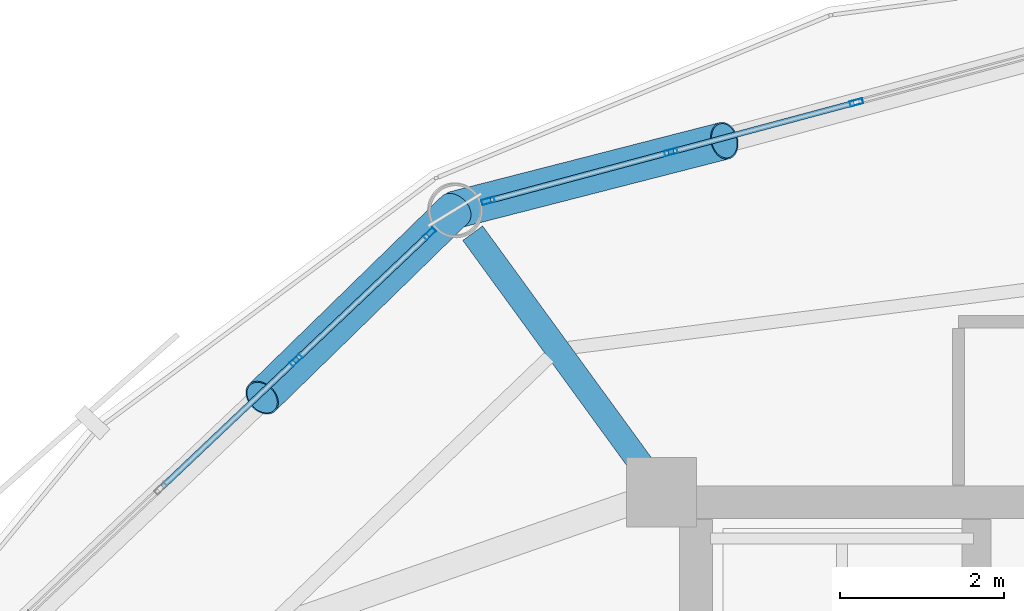
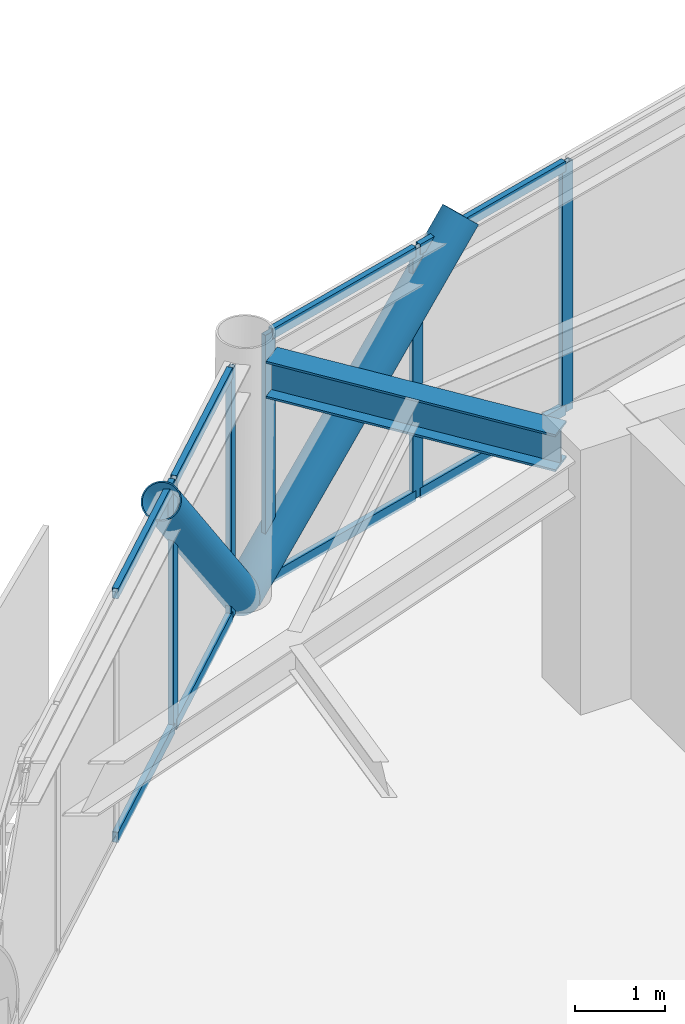
# One storey, part 20 of 29: 15 members, 1 beam, 2 elements without a shape of their own.
"""IFC4 building model written with IfcOpenShell, lengths in metres."""

import ifcopenshell
import ifcopenshell.guid

model = None  # the IFC model being written
_history = None  # IfcOwnerHistory: only IFC2X3 demands one
_inside = {}  # id of a spatial element -> (the spatial element, [elements in it])
_under = {}  # id of a project, library or spatial element -> (it, [spatial elements below it])
_declared = {}  # id of a project -> (the project, [libraries it declares])
_typed = {}  # id of a type object -> (the type object, [elements of that type])
_made_of = {}  # id of a material, layer set ... -> (it, [elements and type objects made of it])


def new_model(schema):
    """Start an empty IFC model of exactly this schema.

    Asked for "IFC4X3", IfcOpenShell would pick the latest addendum, in which some entities
    have other attributes; the version numbers below select the first issue.
    IFC2X3 requires an IfcOwnerHistory on every rooted entity: one is made here for all.
    """
    global model, _history
    if schema == "IFC4X3":
        model = ifcopenshell.file(schema_version=(4, 3, 0, 0))
    else:
        model = ifcopenshell.file(schema=schema)
    _inside.clear()
    _under.clear()
    _declared.clear()
    _typed.clear()
    _made_of.clear()
    _history = None
    if model.schema == "IFC2X3":
        org = make("IfcOrganization", Name="unknown")
        user = make(
            "IfcPersonAndOrganization",
            ThePerson=make("IfcPerson", FamilyName="unknown"),
            TheOrganization=org,
        )
        app = make(
            "IfcApplication",
            ApplicationDeveloper=org,
            Version="unknown",
            ApplicationFullName="unknown",
            ApplicationIdentifier="unknown",
        )
        _history = make(
            "IfcOwnerHistory",
            OwningUser=user,
            OwningApplication=app,
            ChangeAction="ADDED",
            CreationDate=0,
        )
    return model


def make(cls, **values):
    """One entity of the class cls with the attributes given. An attribute that is None is left unset."""
    return model.create_entity(
        cls, **{name: value for name, value in values.items() if value is not None}
    )


def rooted(cls, **values):
    """An entity with a GlobalId (a new one), such as an element, a storey or a relation."""
    return make(cls, GlobalId=ifcopenshell.guid.new(), OwnerHistory=_history, **values)


def si_unit(unit_type, name, prefix=None):
    """IfcSIUnit, for example si_unit("LENGTHUNIT", "METRE", prefix="MILLI")."""
    return make("IfcSIUnit", UnitType=unit_type, Prefix=prefix, Name=name)


def assignment(units):
    """IfcUnitAssignment: the units of a project."""
    return None if units is None else make("IfcUnitAssignment", Units=units)


def point(xyz):
    """IfcCartesianPoint."""
    return None if xyz is None else make("IfcCartesianPoint", Coordinates=xyz)


def direction(xyz):
    """IfcDirection."""
    return None if xyz is None else make("IfcDirection", DirectionRatios=xyz)


def frame(location, z_axis=None, x_axis=None):
    """IfcAxis2Placement3D, a coordinate frame: its origin and axes. An axis left out is left unset."""
    return make(
        "IfcAxis2Placement3D",
        Location=point(location),
        Axis=direction(z_axis),
        RefDirection=direction(x_axis),
    )


def frame_2d(location, x_axis=None):
    """IfcAxis2Placement2D, a coordinate frame in the plane: its origin and x axis."""
    return make(
        "IfcAxis2Placement2D", Location=point(location), RefDirection=direction(x_axis)
    )


def origin():
    """The frame at (0, 0, 0) with its axes left unset."""
    return frame((0.0, 0.0, 0.0))


def origin_2d():
    """The frame at (0, 0) in the plane with its x axis left unset."""
    return frame_2d((0.0, 0.0))


def place(relative_to, where):
    """IfcLocalPlacement: puts the frame where relative to a parent placement (None: the world)."""
    return make(
        "IfcLocalPlacement", PlacementRelTo=relative_to, RelativePlacement=where
    )


def context(
    kind, dimensions, precision=None, world=None, true_north=None, identifier=None
):
    """IfcGeometricRepresentationContext, for example the 3D "Model" context."""
    return make(
        "IfcGeometricRepresentationContext",
        ContextIdentifier=identifier,
        ContextType=kind,
        CoordinateSpaceDimension=dimensions,
        Precision=precision,
        WorldCoordinateSystem=world,
        TrueNorth=true_north,
    )


def subcontext(parent, identifier, kind, view, scale=None):
    """IfcGeometricRepresentationSubContext, for example "Body" below "Model"."""
    return make(
        "IfcGeometricRepresentationSubContext",
        ContextIdentifier=identifier,
        ContextType=kind,
        ParentContext=parent,
        TargetScale=scale,
        TargetView=view,
    )


def project(units=None, contexts=None):
    """IfcProject with its units and contexts."""
    return rooted(
        "IfcProject",
        Name="project",
        RepresentationContexts=contexts,
        UnitsInContext=assignment(units),
    )


def spatial(cls, under=None, at=None, **own):
    """A site, building, storey or space (cls), placed at a placement, below another one or the project."""
    s = rooted(cls, ObjectPlacement=at, **own)
    if under is not None:
        _under.setdefault(under.id(), (under, []))[1].append(s)
    return s


def profile(cls, at=None, kind="AREA", **sizes):
    """A parametric profile (cls). Its sizes go by their IFC names, for example OverallWidth=200.0."""
    return make(cls, ProfileType=kind, Position=at, **sizes)


def hollow_rectangle(**sizes):
    """IfcRectangleHollowProfileDef."""
    return profile("IfcRectangleHollowProfileDef", **sizes)


def hollow_circle(**sizes):
    """IfcCircleHollowProfileDef."""
    return profile("IfcCircleHollowProfileDef", **sizes)


def i_section(**sizes):
    """IfcIShapeProfileDef."""
    return profile("IfcIShapeProfileDef", **sizes)


def extrude(swept, where, along, depth):
    """IfcExtrudedAreaSolid: the profile swept, set in the frame where, extruded along a direction by depth."""
    return make(
        "IfcExtrudedAreaSolid",
        SweptArea=swept,
        Position=where,
        ExtrudedDirection=direction(along),
        Depth=depth,
    )


def shape(context_of_items, identifier, shape_type, items):
    """IfcShapeRepresentation: the items that make up one representation, for example the "Body"."""
    return make(
        "IfcShapeRepresentation",
        ContextOfItems=context_of_items,
        RepresentationIdentifier=identifier,
        RepresentationType=shape_type,
        Items=items,
    )


def material(Name=None, Category=None):
    """IfcMaterial."""
    return make("IfcMaterial", Name=Name, Category=Category)


def layer(
    of_material, thickness, ventilated=None, Name=None, Category=None, Priority=None
):
    """IfcMaterialLayer: one layer of a wall or slab, of a material (None: an air gap)."""
    return make(
        "IfcMaterialLayer",
        Material=of_material,
        LayerThickness=thickness,
        IsVentilated=ventilated,
        Name=Name,
        Category=Category,
        Priority=Priority,
    )


def layer_set(layers, Name=None):
    """IfcMaterialLayerSet."""
    return make("IfcMaterialLayerSet", MaterialLayers=layers, LayerSetName=Name)


def material_profile(
    of_material, cross_section, Name=None, Category=None, Priority=None
):
    """IfcMaterialProfile: a cross section and its material."""
    return make(
        "IfcMaterialProfile",
        Name=Name,
        Material=of_material,
        Profile=cross_section,
        Priority=Priority,
        Category=Category,
    )


def profile_set(profiles, Name=None, composite=None):
    """IfcMaterialProfileSet."""
    return make(
        "IfcMaterialProfileSet",
        Name=Name,
        MaterialProfiles=profiles,
        CompositeProfile=composite,
    )


def made_of(thing, what):
    """Note that an element or type object is made of a material, layer set ...; save() writes the relation."""
    if what is not None:
        _made_of.setdefault(what.id(), (what, []))[1].append(thing)
    return thing


def type_object(cls, material=None, **own):
    """A type object (cls), such as IfcWallType, which elements share."""
    return made_of(rooted(cls, **own), material)


def element(
    cls,
    number,
    at=None,
    inside=None,
    cuts=None,
    type_object=None,
    material=None,
    context=None,
    identifier="Body",
    shape_type=None,
    held_by="IfcProductDefinitionShape",
    body=None,
    shapes=None,
    **own,
):
    """One element of the class cls, such as IfcWall. Its Tag is "e" and its number.

    at: its placement. inside: the storey or other place that contains it. cuts: it is an
    opening in that element (IfcRelVoidsElement). A single representation is given by context,
    identifier, shape_type and body (its items); several are given by shapes. held_by: the class
    of the entity that holds the representations. save() writes the other relations.
    """
    e = rooted(cls, Tag="e%d" % number, ObjectPlacement=at, **own)
    if body is not None:
        shapes = [shape(context, identifier, shape_type, body)]
    if shapes is not None:
        e.Representation = make(held_by, Representations=shapes)
    if inside is not None:
        _inside.setdefault(inside.id(), (inside, []))[1].append(e)
    if cuts is not None:
        rooted(
            "IfcRelVoidsElement", RelatingBuildingElement=cuts, RelatedOpeningElement=e
        )
    if type_object is not None:
        _typed.setdefault(type_object.id(), (type_object, []))[1].append(e)
    return made_of(e, material)


def aggregate(whole, parts):
    """IfcRelAggregates: a whole, such as a stair, and the parts it consists of."""
    return rooted("IfcRelAggregates", RelatingObject=whole, RelatedObjects=parts)


def save(model, path):
    """Write the relations noted so far, then the file.

    IfcRelAggregates (storeys below a building ...), IfcRelContainedInSpatialStructure (elements
    in a storey), IfcRelDefinesByType, IfcRelAssociatesMaterial and IfcRelDeclares: one each for
    every whole, place, type object, material and project.
    """
    for whole, parts in _under.values():
        aggregate(whole, parts)
    for where, things in _inside.values():
        rooted(
            "IfcRelContainedInSpatialStructure",
            RelatedElements=things,
            RelatingStructure=where,
        )
    for kind, things in _typed.values():
        rooted("IfcRelDefinesByType", RelatedObjects=things, RelatingType=kind)
    for what, things in _made_of.values():
        rooted("IfcRelAssociatesMaterial", RelatedObjects=things, RelatingMaterial=what)
    for by, libraries in _declared.values():
        rooted("IfcRelDeclares", RelatingContext=by, RelatedDefinitions=libraries)
    model.write(path)


model = new_model("IFC4")

# Units and contexts
model_context = context("Model", 3, precision=1e-05, world=origin(), true_north=direction((0.0, 1.0)))
body_context = subcontext(model_context, "Body", "Model", "MODEL_VIEW")
ifc_project = project(units=[si_unit("LENGTHUNIT", "METRE"), si_unit("AREAUNIT", "SQUARE_METRE"), si_unit("VOLUMEUNIT", "CUBIC_METRE"), si_unit("PLANEANGLEUNIT", "RADIAN"), si_unit("MASSUNIT", "GRAM", prefix="KILO")], contexts=[model_context])

# Site, building, storey
site_placement = place(None, origin())
site = spatial("IfcSite", under=ifc_project, at=site_placement, CompositionType="ELEMENT")
building_placement = place(site_placement, origin())
building = spatial("IfcBuilding", under=site, at=building_placement, Name="Varnakorn Sky Granary", CompositionType="ELEMENT")
storey_placement = place(building_placement, frame((0.0, 0.0, 182.39990234375)))
storey = spatial("IfcBuildingStorey", under=building, at=storey_placement, Name="L45", CompositionType="ELEMENT", Elevation=182.39990234375)

# Beam
ifc_material_1 = material(Name="Steel S355JR", Category="steel")
ifc_material_profile_1 = material_profile(ifc_material_1, i_section(OverallWidth=0.300048828125, OverallDepth=0.5, WebThickness=0.014404296875, FlangeThickness=0.028076171875, at=origin_2d()), Name="HE 500 B")
ifc_profile_set_1 = profile_set([ifc_material_profile_1], Name="Steel S355JR")
beam_type = type_object("IfcBeamType", Name="BM-RAD-Z4", PredefinedType="BEAM", material=ifc_profile_set_1)
beam_placement = place(storey_placement, frame((-2.658447265625, 12.947509765625, 3.110107421875), z_axis=(-0.588809874475, 0.808271570526, 0.0), x_axis=(-0.808271570526, -0.588809874475, 0.0)))
element("IfcBeam", 1, at=beam_placement, inside=storey, type_object=beam_type, Name="Radial Floor Girder RG05 L45", PredefinedType="BEAM", context=body_context, shape_type="SweptSolid", body=[
    extrude(i_section(OverallWidth=0.300048828125, OverallDepth=0.5, WebThickness=0.014404296875, FlangeThickness=0.028076171875, at=origin_2d()), origin(), (0.0, 0.0, 1.0), 3.501953125),
])

# Curtain wall, members
ifc_material_2 = material(Name="Anodised Bronze Aluminium Alloy 6063-T6", Category="aluminium")
ifc_layer = layer(ifc_material_2, 0.169921875, Name="Anodised Bronze Aluminium Alloy 6063-T6")
ifc_layer_set = layer_set([ifc_layer], Name="Anodised Bronze Aluminium Alloy 6063-T6")
curtain_wall_type = type_object("IfcCurtainWallType", Name="CW-LAB-1", PredefinedType="USERDEFINED", material=ifc_layer_set)
curtain_wall_1_placement = place(storey_placement, origin())
curtain_wall_1 = element("IfcCurtainWall", 2, at=curtain_wall_1_placement, inside=storey, type_object=curtain_wall_type, Name="Unitised Curtain Wall CW5 CW-L45-B04", ObjectType="CURTAIN WALL", PredefinedType="USERDEFINED")
ifc_material_profile_2 = material_profile(ifc_material_2, hollow_rectangle(XDim=0.06494140625, YDim=0.159912109375, WallThickness=0.00341796875, at=origin_2d()), Name="ALU MULL 65x160")
ifc_profile_set_2 = profile_set([ifc_material_profile_2], Name="Anodised Bronze Aluminium Alloy 6063-T6")
member_type_1 = type_object("IfcMemberType", Name="CW-LAB-1-MULL", PredefinedType="MULLION", material=ifc_profile_set_2)
member_1_placement = place(storey_placement, frame((-4.531982421875, 16.17138671875, 0.0), z_axis=(0.0, 0.0, 1.0), x_axis=(-0.25850488691, 0.966009949971, 0.0)))
member_1 = element("IfcMember", 3, at=member_1_placement, type_object=member_type_1, Name="CW5 mullion 1", PredefinedType="MULLION", context=body_context, shape_type="SweptSolid", body=[
    extrude(hollow_rectangle(XDim=0.06494140625, YDim=0.159912109375, WallThickness=0.00341796875, at=origin_2d()), origin(), (0.0, 0.0, 1.0), 3.360107421875),
])
member_2_placement = place(storey_placement, frame((-2.30419921875, 16.767578125, 0.0), z_axis=(0.0, 0.0, 1.0), x_axis=(-0.25850488691, 0.966009949971, 0.0)))
member_2 = element("IfcMember", 4, at=member_2_placement, type_object=member_type_1, Name="CW5 mullion 2", PredefinedType="MULLION", context=body_context, shape_type="SweptSolid", body=[
    extrude(hollow_rectangle(XDim=0.06494140625, YDim=0.159912109375, WallThickness=0.00341796875, at=origin_2d()), origin(), (0.0, 0.0, 1.0), 3.360107421875),
])
member_3_placement = place(storey_placement, frame((-0.044921875, 17.3720703125, 0.0), z_axis=(0.0, 0.0, 1.0), x_axis=(-0.25850488691, 0.966009949971, 0.0)))
member_3 = element("IfcMember", 5, at=member_3_placement, type_object=member_type_1, Name="CW5 mullion 3", PredefinedType="MULLION", context=body_context, shape_type="SweptSolid", body=[
    extrude(hollow_rectangle(XDim=0.06494140625, YDim=0.159912109375, WallThickness=0.00341796875, at=origin_2d()), origin(), (0.0, 0.0, 1.0), 3.360107421875),
])

curtain_wall_2_placement = place(storey_placement, origin())
curtain_wall_2 = element("IfcCurtainWall", 6, at=curtain_wall_2_placement, inside=storey, type_object=curtain_wall_type, Name="Unitised Curtain Wall CW5 CW-L45-B05", ObjectType="CURTAIN WALL", PredefinedType="USERDEFINED")
member_4_placement = place(storey_placement, frame((-6.873291015625, 14.23095703125, 0.0), z_axis=(0.0, 0.0, 1.0), x_axis=(-0.687692477005, 0.726002105418, 0.0)))
member_4 = element("IfcMember", 7, at=member_4_placement, type_object=member_type_1, Name="CW5 mullion 4", PredefinedType="MULLION", context=body_context, shape_type="SweptSolid", body=[
    extrude(hollow_rectangle(XDim=0.06494140625, YDim=0.159912109375, WallThickness=0.00341796875, at=origin_2d()), origin(), (0.0, 0.0, 1.0), 3.360107421875),
])
member_5_placement = place(storey_placement, frame((-5.24658203125, 15.771728515625, 0.0), z_axis=(0.0, 0.0, 1.0), x_axis=(-0.687692477005, 0.726002105418, 0.0)))
member_5 = element("IfcMember", 8, at=member_5_placement, type_object=member_type_1, Name="CW5 mullion 5", PredefinedType="MULLION", context=body_context, shape_type="SweptSolid", body=[
    extrude(hollow_rectangle(XDim=0.06494140625, YDim=0.159912109375, WallThickness=0.00341796875, at=origin_2d()), origin(), (0.0, 0.0, 1.0), 3.360107421875),
])

# Member
ifc_material_profile_3 = material_profile(ifc_material_2, hollow_rectangle(XDim=0.070068359375, YDim=0.139892578125, WallThickness=0.00341796875, at=origin_2d()), Name="ALU TRAN 70x140")
ifc_profile_set_3 = profile_set([ifc_material_profile_3], Name="Anodised Bronze Aluminium Alloy 6063-T6")
member_type_2 = type_object("IfcMemberType", Name="CW-LAB-1-TRAN", PredefinedType="USERDEFINED", material=ifc_profile_set_3)
member_6_placement = place(storey_placement, frame((-4.50048828125, 16.1796875, 0.03515625), z_axis=(0.966012194978, 0.258496497371, 0.0), x_axis=(-0.258496497371, 0.966012194978, 0.0)))
member_6 = element("IfcMember", 9, at=member_6_placement, type_object=member_type_2, Name="CW5 transom 1.1", ObjectType="TRANSOM", PredefinedType="USERDEFINED", context=body_context, shape_type="SweptSolid", body=[
    extrude(hollow_rectangle(XDim=0.070068359375, YDim=0.139892578125, WallThickness=0.00341796875, at=origin_2d()), origin(), (0.0, 0.0, 1.0), 2.2412109375),
])

member_7_placement = place(storey_placement, frame((-4.50048828125, 16.1796875, 3.3251953125), z_axis=(0.966012194978, 0.258496497371, 0.0), x_axis=(-0.258496497371, 0.966012194978, 0.0)))
member_7 = element("IfcMember", 10, at=member_7_placement, type_object=member_type_2, Name="CW5 transom 1.2", ObjectType="TRANSOM", PredefinedType="USERDEFINED", context=body_context, shape_type="SweptSolid", body=[
    extrude(hollow_rectangle(XDim=0.070068359375, YDim=0.139892578125, WallThickness=0.00341796875, at=origin_2d()), origin(), (0.0, 0.0, 1.0), 2.2412109375),
])

member_8_placement = place(storey_placement, frame((-2.272705078125, 16.77587890625, 0.03515625), z_axis=(0.965992126932, 0.258571480842, 0.0), x_axis=(-0.258571480842, 0.965992126932, 0.0)))
member_8 = element("IfcMember", 11, at=member_8_placement, type_object=member_type_2, Name="CW5 transom 2.1", ObjectType="TRANSOM", PredefinedType="USERDEFINED", context=body_context, shape_type="SweptSolid", body=[
    extrude(hollow_rectangle(XDim=0.070068359375, YDim=0.139892578125, WallThickness=0.00341796875, at=origin_2d()), origin(), (0.0, 0.0, 1.0), 2.273681640625),
])

member_9_placement = place(storey_placement, frame((-2.272705078125, 16.77587890625, 3.3251953125), z_axis=(0.965992126932, 0.258571480842, 0.0), x_axis=(-0.258571480842, 0.965992126932, 0.0)))
member_9 = element("IfcMember", 12, at=member_9_placement, type_object=member_type_2, Name="CW5 transom 2.2", ObjectType="TRANSOM", PredefinedType="USERDEFINED", context=body_context, shape_type="SweptSolid", body=[
    extrude(hollow_rectangle(XDim=0.070068359375, YDim=0.139892578125, WallThickness=0.00341796875, at=origin_2d()), origin(), (0.0, 0.0, 1.0), 2.273681640625),
])

aggregate(curtain_wall_1, [member_1, member_2, member_3, member_6, member_7, member_8, member_9])

member_10_placement = place(storey_placement, frame((-8.499755859375, 12.690185546875, 0.03515625), z_axis=(0.726031130468, 0.687661833746, 0.0), x_axis=(-0.687661833746, 0.726031130468, 0.0)))
member_10 = element("IfcMember", 13, at=member_10_placement, type_object=member_type_2, Name="CW5 transom 3.1", ObjectType="TRANSOM", PredefinedType="USERDEFINED", context=body_context, shape_type="SweptSolid", body=[
    extrude(hollow_rectangle(XDim=0.070068359375, YDim=0.139892578125, WallThickness=0.00341796875, at=origin_2d()), origin(), (0.0, 0.0, 1.0), 2.2080078125),
])

member_11_placement = place(storey_placement, frame((-8.499755859375, 12.690185546875, 3.3251953125), z_axis=(0.726031130468, 0.687661833746, 0.0), x_axis=(-0.687661833746, 0.726031130468, 0.0)))
member_11 = element("IfcMember", 14, at=member_11_placement, type_object=member_type_2, Name="CW5 transom 3.2", ObjectType="TRANSOM", PredefinedType="USERDEFINED", context=body_context, shape_type="SweptSolid", body=[
    extrude(hollow_rectangle(XDim=0.070068359375, YDim=0.139892578125, WallThickness=0.00341796875, at=origin_2d()), origin(), (0.0, 0.0, 1.0), 2.2080078125),
])

member_12_placement = place(storey_placement, frame((-6.849609375, 14.253173828125, 0.03515625), z_axis=(0.725982172965, 0.687713519234, 0.0), x_axis=(-0.687713519234, 0.725982172965, 0.0)))
member_12 = element("IfcMember", 15, at=member_12_placement, type_object=member_type_2, Name="CW5 transom 4.1", ObjectType="TRANSOM", PredefinedType="USERDEFINED", context=body_context, shape_type="SweptSolid", body=[
    extrude(hollow_rectangle(XDim=0.070068359375, YDim=0.139892578125, WallThickness=0.00341796875, at=origin_2d()), origin(), (0.0, 0.0, 1.0), 2.175537109375),
])

member_13_placement = place(storey_placement, frame((-6.849609375, 14.253173828125, 3.3251953125), z_axis=(0.725982172965, 0.687713519234, 0.0), x_axis=(-0.687713519234, 0.725982172965, 0.0)))
member_13 = element("IfcMember", 16, at=member_13_placement, type_object=member_type_2, Name="CW5 transom 4.2", ObjectType="TRANSOM", PredefinedType="USERDEFINED", context=body_context, shape_type="SweptSolid", body=[
    extrude(hollow_rectangle(XDim=0.070068359375, YDim=0.139892578125, WallThickness=0.00341796875, at=origin_2d()), origin(), (0.0, 0.0, 1.0), 2.175537109375),
])

aggregate(curtain_wall_2, [member_4, member_5, member_10, member_11, member_12, member_13])

# Members
ifc_material_3 = material(Name="Steel S460M", Category="steel")
ifc_material_profile_4 = material_profile(ifc_material_3, hollow_circle(Radius=0.228515625, WallThickness=0.01611328125, at=origin_2d()), Name="CHS 457x16")
ifc_profile_set_4 = profile_set([ifc_material_profile_4], Name="Steel S460M")
member_type_3 = type_object("IfcMemberType", Name="MB-DIAG-T3", PredefinedType="BRACE", material=ifc_profile_set_4)
member_14_placement = place(storey_placement, frame((-4.93994140625, 16.062255859375, 0.0), z_axis=(0.675152729438, 0.173064634561, 0.71708955103), x_axis=(-0.248306085269, 0.968681623661, 0.0)))
element("IfcMember", 17, at=member_14_placement, inside=storey, type_object=member_type_3, Name="Perimeter CHS Diagrid Brace DG04 L45", PredefinedType="BRACE", context=body_context, shape_type="SweptSolid", body=[
    extrude(hollow_circle(Radius=0.228515625, WallThickness=0.01611328125, at=origin_2d()), origin(), (0.0, 0.0, 1.0), 4.866943359375),
])
member_15_placement = place(storey_placement, frame((-4.93994140625, 16.062255859375, 0.0), z_axis=(-0.490133485557, -0.477946437799, 0.728928233046), x_axis=(0.698149775341, -0.715951738032, 0.0)))
element("IfcMember", 18, at=member_15_placement, inside=storey, type_object=member_type_3, Name="Perimeter CHS Diagrid Brace DG05 L45", PredefinedType="BRACE", context=body_context, shape_type="SweptSolid", body=[
    extrude(hollow_circle(Radius=0.228515625, WallThickness=0.01611328125, at=origin_2d()), origin(), (0.0, 0.0, 1.0), 4.787841796875),
])

save(model, "model.ifc")
